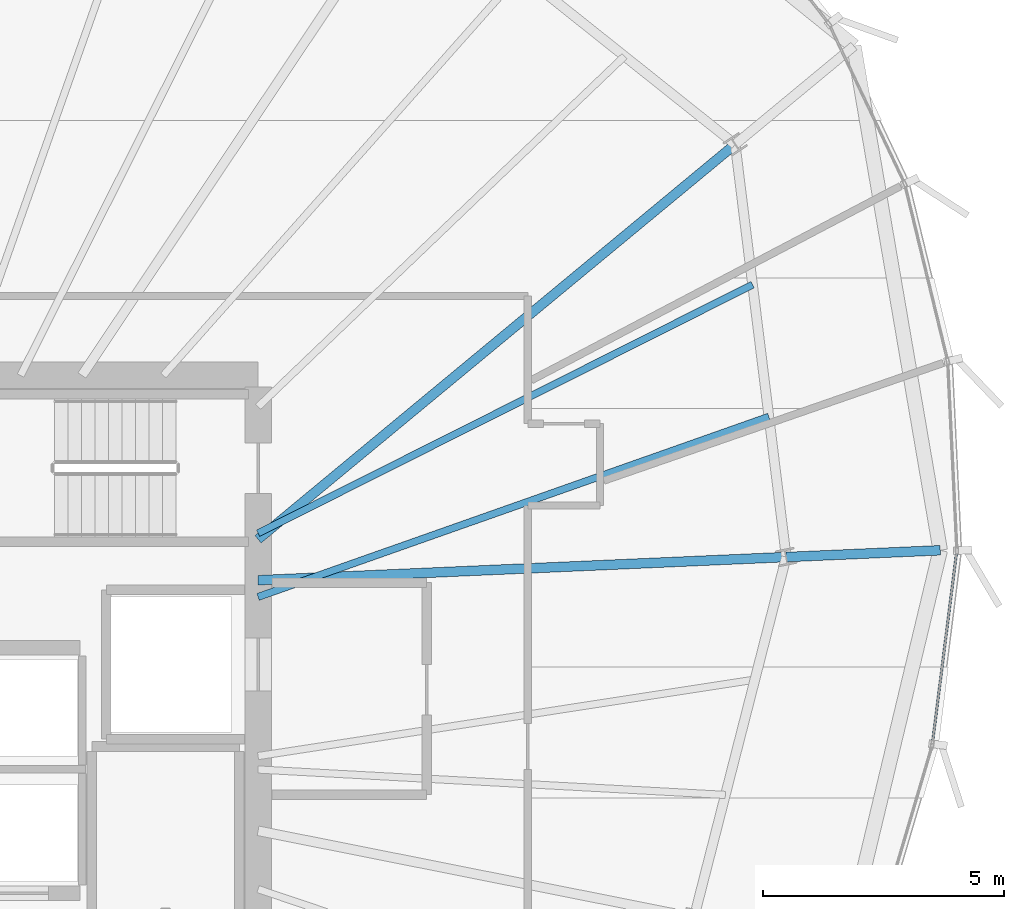
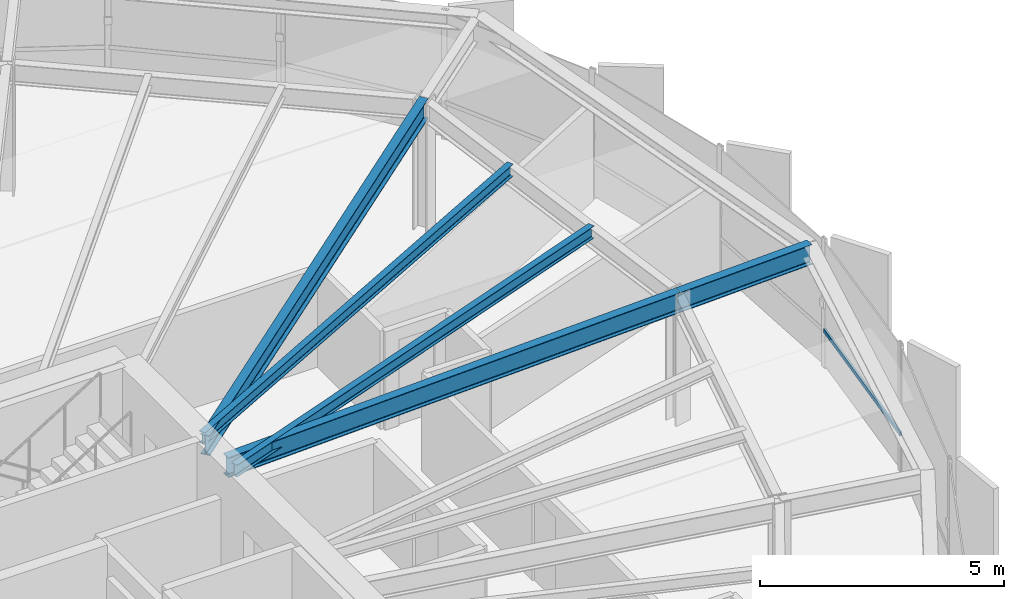
# One storey, part 16 of 33: 5 beams, 1 member, 1 element without a shape of its own.
"""IFC4 building model written with IfcOpenShell, lengths in metres."""

from ifc_helpers import new_model, si_unit, direction, frame, origin, origin_2d, place, context, subcontext, project, spatial, hollow_rectangle, i_section, extrude, source, transform, mapped, material, layer, layer_set, material_profile, profile_set, type_object, element, aggregate, save


model = new_model("IFC4")

# Units and contexts
model_context = context("Model", 3, precision=1e-05, world=origin(), true_north=direction((0.0, 1.0)))
body_context = subcontext(model_context, "Body", "Model", "MODEL_VIEW")
ifc_project = project(units=[si_unit("LENGTHUNIT", "METRE"), si_unit("AREAUNIT", "SQUARE_METRE"), si_unit("VOLUMEUNIT", "CUBIC_METRE"), si_unit("PLANEANGLEUNIT", "RADIAN"), si_unit("MASSUNIT", "GRAM", prefix="KILO"), si_unit("THERMODYNAMICTEMPERATUREUNIT", "KELVIN")], contexts=[model_context])

# Site, building, storey
site_placement = place(None, origin())
site = spatial("IfcSite", under=ifc_project, at=site_placement, CompositionType="ELEMENT")
building_placement = place(site_placement, origin())
building = spatial("IfcBuilding", under=site, at=building_placement, Name="Kethvar Cultural Tower", CompositionType="ELEMENT")
storey_placement = place(building_placement, frame((0.0, 0.0, 211.39990234375)))
storey = spatial("IfcBuildingStorey", under=building, at=storey_placement, Name="L55", CompositionType="ELEMENT", Elevation=211.39990234375)

# Beams
ifc_material_1 = material(Name="Steel S355J2", Category="steel")
ifc_material_profile_1 = material_profile(ifc_material_1, i_section(OverallWidth=0.199951171875, OverallDepth=0.5, WebThickness=0.01025390625, FlangeThickness=0.01611328125, FilletRadius=0.02099609375, at=origin_2d()), Name="Steel S355J2 — IPE500")
ifc_profile_set_1 = profile_set([ifc_material_profile_1], Name="Steel S355J2 — IPE500")
beam_type_1 = type_object("IfcBeamType", Name="BM-IPE500", PredefinedType="BEAM", material=ifc_profile_set_1)
shared_shape_1 = source(origin(), body_context, "Body", "SweptSolid", [
    extrude(i_section(OverallWidth=0.199951171875, OverallDepth=0.5, WebThickness=0.01025390625, FlangeThickness=0.01611328125, FilletRadius=0.02099609375, at=origin_2d()), origin(), (0.0, 0.0, 1.0), 10.974365234375),
])
beam_1_placement = place(storey_placement, frame((55.60009765625, 31.25, 3.008056640625), z_axis=(0.999038235064, 0.043847518511, 0.0), x_axis=(-0.043847518511, 0.999038235064, 0.0)))
element("IfcBeam", 1, at=beam_1_placement, inside=storey, type_object=beam_type_1, Name="L55 Primary Radial Beam RB-01", PredefinedType="BEAM", context=body_context, shape_type="MappedRepresentation", body=[
    mapped(shared_shape_1, transform((0.0, 0.0, 0.0), scale=1.0)),
])
shared_shape_2 = source(origin(), body_context, "Body", "SweptSolid", [
    extrude(i_section(OverallWidth=0.199951171875, OverallDepth=0.5, WebThickness=0.01025390625, FlangeThickness=0.01611328125, FilletRadius=0.02099609375, at=origin_2d()), origin(), (0.0, 0.0, 1.0), 3.2001953125),
])
beam_2_placement = place(storey_placement, frame((66.56396484375, 31.731201171875, 3.008056640625), z_axis=(0.999037352633, 0.043867619531, 0.0), x_axis=(-0.043867619531, 0.999037352633, 0.0)))
element("IfcBeam", 2, at=beam_2_placement, inside=storey, type_object=beam_type_1, Name="L55 Perimeter Cantilever Beam RC-01", PredefinedType="BEAM", context=body_context, shape_type="MappedRepresentation", body=[
    mapped(shared_shape_2, transform((0.0, 0.0, 0.0), scale=1.0)),
])
shared_shape_3 = source(origin(), body_context, "Body", "SweptSolid", [
    extrude(i_section(OverallWidth=0.199951171875, OverallDepth=0.5, WebThickness=0.01025390625, FlangeThickness=0.01611328125, FilletRadius=0.02099609375, at=origin_2d()), origin(), (0.0, 0.0, 1.0), 12.8564453125),
])
beam_3_placement = place(storey_placement, frame((55.60009765625, 32.10009765625, 3.008056640625), z_axis=(0.770354115625, 0.637616292561, 0.0), x_axis=(-0.637616292561, 0.770354115625, 0.0)))
element("IfcBeam", 3, at=beam_3_placement, inside=storey, type_object=beam_type_1, Name="L55 Primary Radial Beam RB-02", PredefinedType="BEAM", context=body_context, shape_type="MappedRepresentation", body=[
    mapped(shared_shape_3, transform((0.0, 0.0, 0.0), scale=1.0)),
])
ifc_material_profile_2 = material_profile(ifc_material_1, i_section(OverallWidth=0.14990234375, OverallDepth=0.300048828125, WebThickness=0.007080078125, FlangeThickness=0.0107421875, FilletRadius=0.014892578125, at=origin_2d()), Name="Steel S355J2 — IPE300")
ifc_profile_set_2 = profile_set([ifc_material_profile_2], Name="Steel S355J2 — IPE300")
beam_type_2 = type_object("IfcBeamType", Name="BM-J300", PredefinedType="JOIST", material=ifc_profile_set_2)
shared_shape_4 = source(origin(), body_context, "Body", "SweptSolid", [
    extrude(i_section(OverallWidth=0.14990234375, OverallDepth=0.300048828125, WebThickness=0.007080078125, FlangeThickness=0.0107421875, FilletRadius=0.014892578125, at=origin_2d()), origin(), (0.0, 0.0, 1.0), 11.24365234375),
])
beam_4_placement = place(storey_placement, frame((55.60009765625, 30.90380859375, 3.108154296875), z_axis=(0.943058059975, 0.332628164044, 0.0), x_axis=(-0.332628164044, 0.943058059975, 0.0)))
element("IfcBeam", 4, at=beam_4_placement, inside=storey, type_object=beam_type_2, Name="L55 Composite Floor Joist J-01A", PredefinedType="JOIST", context=body_context, shape_type="MappedRepresentation", body=[
    mapped(shared_shape_4, transform((0.0, 0.0, 0.0), scale=1.0)),
])
shared_shape_5 = source(origin(), body_context, "Body", "SweptSolid", [
    extrude(i_section(OverallWidth=0.14990234375, OverallDepth=0.300048828125, WebThickness=0.007080078125, FlangeThickness=0.0107421875, FilletRadius=0.014892578125, at=origin_2d()), origin(), (0.0, 0.0, 1.0), 11.48876953125),
])
beam_5_placement = place(storey_placement, frame((55.60009765625, 32.224365234375, 3.108154296875), z_axis=(0.893434724969, 0.449193045605, 0.0), x_axis=(-0.449193045605, 0.893434724969, 0.0)))
element("IfcBeam", 5, at=beam_5_placement, inside=storey, type_object=beam_type_2, Name="L55 Composite Floor Joist J-01B", PredefinedType="JOIST", context=body_context, shape_type="MappedRepresentation", body=[
    mapped(shared_shape_5, transform((0.0, 0.0, 0.0), scale=1.0)),
])

# Curtain wall, member
ifc_material_2 = material(Name="Aluminium 6063-T6", Category="aluminium")
ifc_layer = layer(ifc_material_2, 0.179931640625, Name="Aluminium 6063-T6", Category="aluminium")
ifc_layer_set = layer_set([ifc_layer], Name="Aluminium 6063-T6 (180 mm)")
curtain_wall_type = type_object("IfcCurtainWallType", Name="CW-SYS-04-Z34", PredefinedType="NOTDEFINED", material=ifc_layer_set)
curtain_wall_placement = place(storey_placement, origin())
curtain_wall = element("IfcCurtainWall", 6, at=curtain_wall_placement, inside=storey, type_object=curtain_wall_type, Name="L55 Curtain Wall Run 06", PredefinedType="NOTDEFINED")
ifc_material_profile_3 = material_profile(ifc_material_2, hollow_rectangle(XDim=0.050048828125, YDim=0.10009765625, WallThickness=0.00390625, at=origin_2d()), Name="Aluminium 6063-T6 — RHS100x50x4")
ifc_profile_set_3 = profile_set([ifc_material_profile_3], Name="Aluminium 6063-T6 — RHS100x50x4")
member_type = type_object("IfcMemberType", Name="CW-SYS-04-Z34-TRN", PredefinedType="USERDEFINED", material=ifc_profile_set_3)
shared_shape_6 = source(origin(), body_context, "Body", "SweptSolid", [
    extrude(hollow_rectangle(XDim=0.050048828125, YDim=0.10009765625, WallThickness=0.00390625, at=origin_2d()), origin(), (0.0, 0.0, 1.0), 4.01513671875),
])
member_placement = place(storey_placement, frame((69.597412109375, 27.856201171875, 0.9501953125), z_axis=(0.125381704184, 0.992108576848, 0.0), x_axis=(-0.992108576848, 0.125381704184, 0.0)))
member = element("IfcMember", 7, at=member_placement, type_object=member_type, Name="CW-L55-R06 Transom 1", ObjectType="TRANSOM", PredefinedType="USERDEFINED", context=body_context, shape_type="MappedRepresentation", body=[
    mapped(shared_shape_6, transform((0.0, 0.0, 0.0), scale=1.0)),
])
aggregate(curtain_wall, [member])

save(model, "model.ifc")
